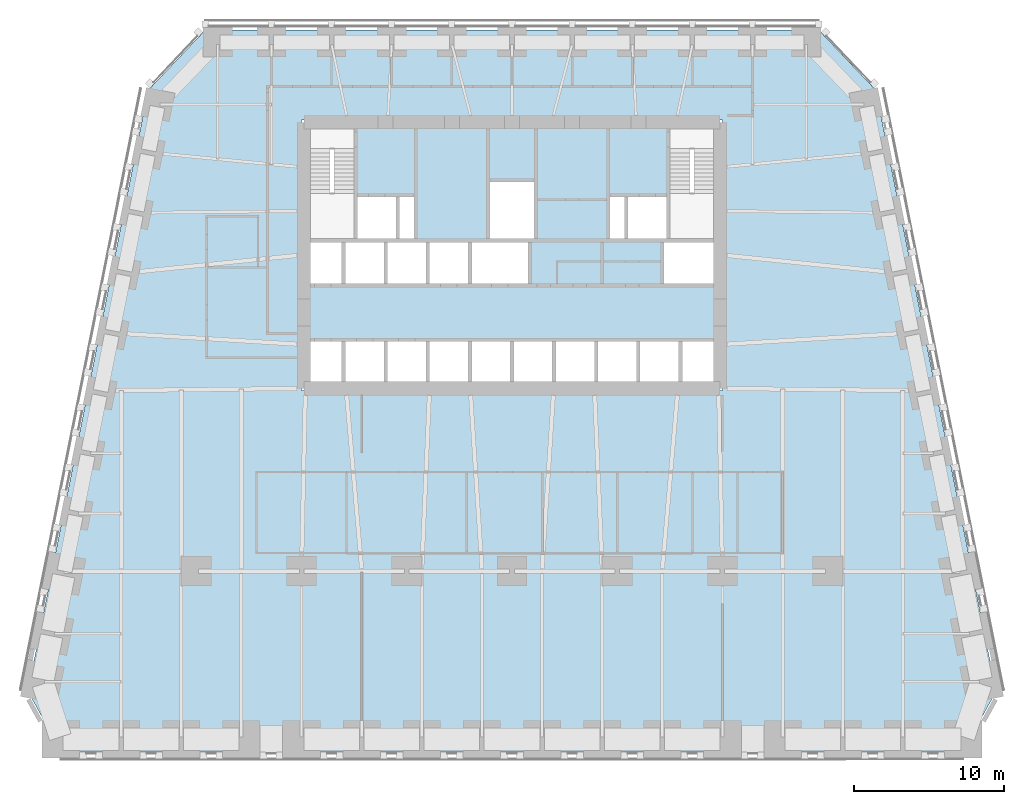
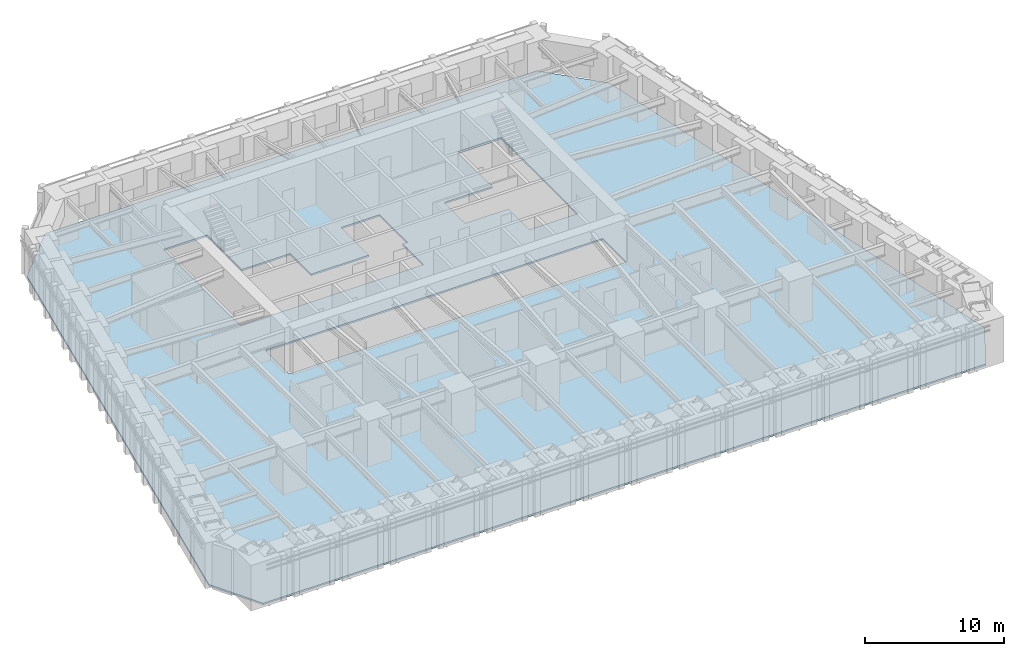
# One storey, part 8 of 16: 1 slab.
"""IFC4 building model written with IfcOpenShell, lengths in metres."""

from ifc_helpers import new_model, si_unit, direction, frame, origin, place, context, subcontext, project, spatial, polyline, outline, extrude, material, layer, layer_set, type_object, element, save


model = new_model("IFC4")

# Units and contexts
model_context = context("Model", 3, precision=1e-05, world=origin(), true_north=direction((0.0, 1.0)))
body_context = subcontext(model_context, "Body", "Model", "MODEL_VIEW")
ifc_project = project(units=[si_unit("LENGTHUNIT", "METRE"), si_unit("AREAUNIT", "SQUARE_METRE"), si_unit("VOLUMEUNIT", "CUBIC_METRE"), si_unit("PLANEANGLEUNIT", "RADIAN"), si_unit("MASSUNIT", "GRAM", prefix="KILO")], contexts=[model_context])

# Site, building, storey
site_placement = place(None, origin())
site = spatial("IfcSite", under=ifc_project, at=site_placement, CompositionType="ELEMENT")
building_placement = place(site_placement, origin())
building = spatial("IfcBuilding", under=site, at=building_placement, Name="Isbrekke Arena Tower", CompositionType="ELEMENT")
storey_placement = place(building_placement, frame((0.0, 0.0, 32.0)))
storey = spatial("IfcBuildingStorey", under=building, at=storey_placement, Name="L05", CompositionType="ELEMENT", Elevation=32.0)

# Slab
ifc_material = material(Name="Concrete B35 (C35/45)", Category="concrete")
ifc_layer = layer(ifc_material, 0.14990234375)
ifc_layer_set = layer_set([ifc_layer], Name="FS1 COMPOSITE FLOOR 150")
slab_type = type_object("IfcSlabType", Name="FS1 COMPOSITE FLOOR 150", PredefinedType="FLOOR", material=ifc_layer_set)
slab_placement = place(storey_placement, frame((0.0, 0.0, -0.14990234375)))
element("IfcSlab", 1, at=slab_placement, inside=storey, type_object=slab_type, Name="FS1 floor slab L05", PredefinedType="FLOOR", context=body_context, shape_type="SweptSolid", body=[
    extrude(outline(polyline([(-30.0, -18.0), (30.0, -18.0), (32.199951171875, -14.0), (24.199951171875, 26.0), (20.39990234375, 30.0), (-20.39990234375, 30.0), (-24.199951171875, 26.0), (-32.199951171875, -14.0), (-30.0, -18.0)]), holes=[polyline([(14.0, 9.39990234375), (14.0, 6.0), (-14.0, 6.0), (-14.0, 9.39990234375), (14.0, 9.39990234375)]), polyline([(-6.39990234375, 19.0), (-6.39990234375, 16.0), (-1.60009765625, 16.0), (-1.60009765625, 20.0), (1.60009765625, 20.0), (1.60009765625, 16.0), (1.199951171875, 16.0), (1.199951171875, 13.0), (-14.0, 13.0), (-14.0, 24.0), (-10.39990234375, 24.0), (-10.39990234375, 19.0), (-6.39990234375, 19.0)]), polyline([(10.0, 13.0), (10.0, 16.0), (6.39990234375, 16.0), (6.39990234375, 19.0), (10.39990234375, 19.0), (10.39990234375, 24.0), (14.0, 24.0), (14.0, 13.0), (10.0, 13.0)])]), origin(), (0.0, 0.0, 1.0), 0.14990234375),
])

save(model, "model.ifc")
